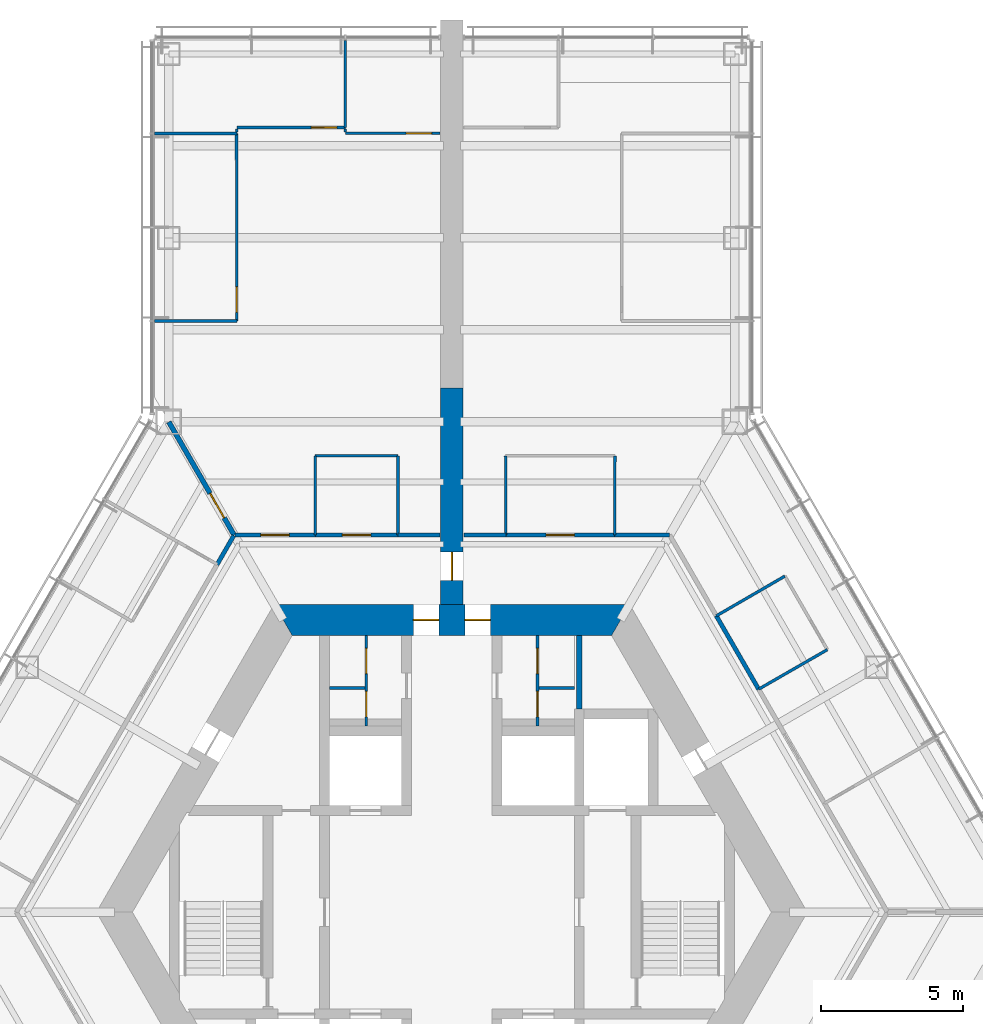
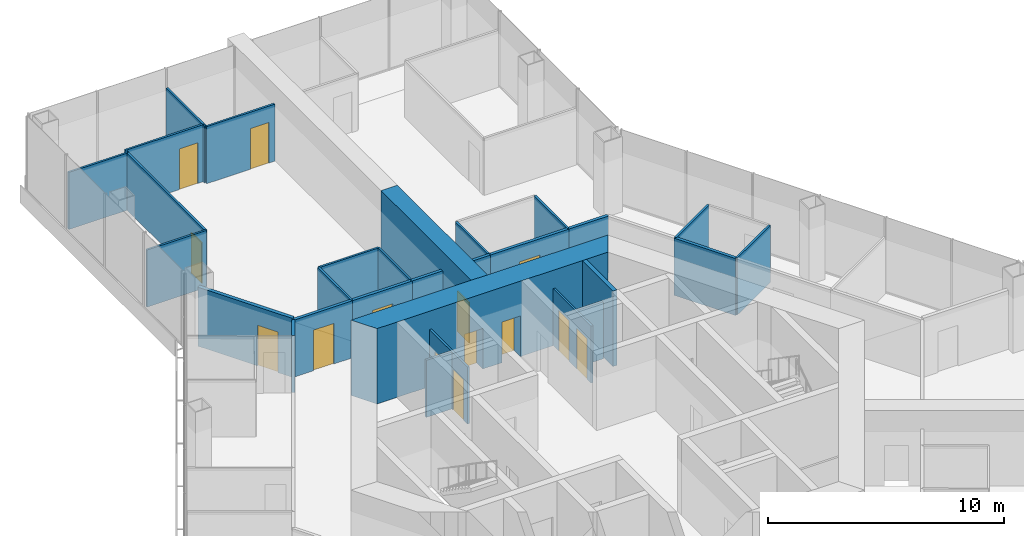
# One storey, part 15 of 19: 31 walls, 14 doors, 14 openings.
"""IFC4 building model written with IfcOpenShell, lengths in metres."""

from ifc_helpers import new_model, si_unit, direction, frame, frame_2d, origin, place, context, subcontext, project, spatial, polyline, rectangle, outline, extrude, material, layer, layer_set, type_object, element, fill, save


model = new_model("IFC4")

# Units and contexts
model_context = context("Model", 3, precision=1e-05, world=origin(), true_north=direction((0.0, 1.0)))
body_context = subcontext(model_context, "Body", "Model", "MODEL_VIEW")
ifc_project = project(units=[si_unit("LENGTHUNIT", "METRE"), si_unit("AREAUNIT", "SQUARE_METRE"), si_unit("VOLUMEUNIT", "CUBIC_METRE"), si_unit("PLANEANGLEUNIT", "RADIAN"), si_unit("MASSUNIT", "GRAM", prefix="KILO")], contexts=[model_context])

# Site, building, storey
site_placement = place(None, origin())
site = spatial("IfcSite", under=ifc_project, at=site_placement, CompositionType="ELEMENT")
building_placement = place(site_placement, origin())
building = spatial("IfcBuilding", under=site, at=building_placement, Name="Kasaneha Research Tower", CompositionType="ELEMENT")
storey_placement = place(building_placement, frame((0.0, 0.0, 92.39990234375)))
storey = spatial("IfcBuildingStorey", under=building, at=storey_placement, Name="L23", CompositionType="ELEMENT", Elevation=92.39990234375)

# Wall, openings, doors
ifc_material_1 = material(Name="Concrete Fc80", Category="concrete")
ifc_layer_1 = layer(ifc_material_1, 1.10009765625)
ifc_layer_set_1 = layer_set([ifc_layer_1], Name="Core wall 1100 Fc80")
wall_type_1 = type_object("IfcWallType", Name="Core wall 1100 Fc80", PredefinedType="SHEAR", material=ifc_layer_set_1)
wall_1_placement = place(storey_placement, frame((5.961181640625, 10.324951171875, 0.0), z_axis=(0.0, 0.0, 1.0), x_axis=(-1.0, 0.0, 0.0)))
wall_1 = element("IfcWall", 1, at=wall_1_placement, inside=storey, type_object=wall_type_1, Name="Core wall 090 L23", PredefinedType="SHEAR", context=body_context, shape_type="SweptSolid", body=[
    extrude(outline(polyline([(-0.317626953125, -0.550048828125), (4.5986328125, -0.550048828125), (5.49853515625, -0.550048828125), (6.423583984375, -0.550048828125), (7.323486328125, -0.550048828125), (12.239990234375, -0.550048828125), (11.604736328125, 0.550048828125), (7.323486328125, 0.550048828125), (6.423583984375, 0.550048828125), (5.49853515625, 0.550048828125), (4.5986328125, 0.550048828125), (0.317626953125, 0.550048828125), (-0.317626953125, -0.550048828125)])), origin(), (0.0, 0.0, 1.0), 3.900146484375),
])
opening_1_placement = place(wall_1_placement, frame((6.423583984375, 0.0, 0.0)))
opening_1 = element("IfcOpeningElement", 2, at=opening_1_placement, cuts=wall_1, Name="Opening L23-D01", PredefinedType="OPENING", context=body_context, shape_type="SweptSolid", body=[
    extrude(rectangle(XDim=0.89990234375, YDim=2.10009765625, at=frame_2d((0.449951171875, 1.050048828125))), frame((0.0, 0.56005859375, 0.0), z_axis=(0.0, -1.0, 0.0), x_axis=(1.0, 0.0, 0.0)), (0.0, 0.0, 1.0), 1.1201171875),
])
opening_2_placement = place(wall_1_placement, frame((4.5986328125, 0.0, 0.0)))
opening_2 = element("IfcOpeningElement", 3, at=opening_2_placement, cuts=wall_1, Name="Opening L23-D02", PredefinedType="OPENING", context=body_context, shape_type="SweptSolid", body=[
    extrude(rectangle(XDim=0.89990234375, YDim=2.10009765625, at=frame_2d((0.449951171875, 1.050048828125))), frame((0.0, 0.56005859375, 0.0), z_axis=(0.0, -1.0, 0.0), x_axis=(1.0, 0.0, 0.0)), (0.0, 0.0, 1.0), 1.1201171875),
])
ifc_material_2 = material(Name="Steel", Category="steel")
door_type_1 = type_object("IfcDoorType", Name="Toilet door FD20 900x2100", OperationType="NOTDEFINED", PredefinedType="DOOR", material=ifc_material_2)
door_1_placement = place(opening_1_placement, origin())
door_1 = element("IfcDoor", 4, at=door_1_placement, inside=storey, type_object=door_type_1, Name="Core door north 1 L23-D01", OperationType="SINGLE_SWING_RIGHT", OverallHeight=2.10009765625, OverallWidth=0.89990234375, PredefinedType="DOOR", context=body_context, shape_type="SweptSolid", body=[
    extrude(rectangle(XDim=0.89990234375, YDim=2.10009765625, at=frame_2d((0.449951171875, 1.050048828125))), frame((0.0, 0.02490234375, 0.0), z_axis=(0.0, -1.0, 0.0), x_axis=(1.0, 0.0, 0.0)), (0.0, 0.0, 1.0), 0.050048828125),
])
fill(opening_1, door_1)
door_2_placement = place(opening_2_placement, origin())
door_2 = element("IfcDoor", 5, at=door_2_placement, inside=storey, type_object=door_type_1, Name="Core door north 2 L23-D02", OperationType="SINGLE_SWING_LEFT", OverallHeight=2.10009765625, OverallWidth=0.89990234375, PredefinedType="DOOR", context=body_context, shape_type="SweptSolid", body=[
    extrude(rectangle(XDim=0.89990234375, YDim=2.10009765625, at=frame_2d((0.449951171875, 1.050048828125))), frame((0.0, 0.02490234375, 0.0), z_axis=(0.0, -1.0, 0.0), x_axis=(1.0, 0.0, 0.0)), (0.0, 0.0, 1.0), 0.050048828125),
])
fill(opening_2, door_2)

ifc_material_3 = material(Name="Gypsum board on steel studs, one layer each side", Category="steel")
ifc_layer_2 = layer(ifc_material_3, 0.10009765625)
ifc_layer_set_2 = layer_set([ifc_layer_2], Name="Office partition 100")
wall_type_2 = type_object("IfcWallType", Name="Office partition 100", PredefinedType="PARTITIONING", material=ifc_layer_set_2)
wall_2_placement = place(storey_placement, frame((-3.02490234375, 6.574951171875, 0.0), z_axis=(0.0, 0.0, 1.0), x_axis=(0.0, 1.0, 0.0)))
wall_2 = element("IfcWall", 6, at=wall_2_placement, inside=storey, type_object=wall_type_2, Name="Office partition TBM1 L23", PredefinedType="PARTITIONING", context=body_context, shape_type="SweptSolid", body=[
    extrude(rectangle(XDim=3.199951171875, YDim=0.10009765625, at=frame_2d((1.60009765625, 0.0))), origin(), (0.0, 0.0, 1.0), 2.9501953125),
])
opening_3_placement = place(wall_2_placement, frame((1.85009765625, 0.0, 0.0)))
opening_3 = element("IfcOpeningElement", 7, at=opening_3_placement, cuts=wall_2, Name="Opening L23-D20", PredefinedType="OPENING", context=body_context, shape_type="SweptSolid", body=[
    extrude(rectangle(XDim=0.89990234375, YDim=2.10009765625, at=frame_2d((0.449951171875, 1.050048828125))), frame((0.0, 0.06005859375, 0.0), z_axis=(0.0, -1.0, 0.0), x_axis=(1.0, 0.0, 0.0)), (0.0, 0.0, 1.0), 0.1201171875),
])
opening_4_placement = place(wall_2_placement, frame((0.324951171875, 0.0, 0.0)))
opening_4 = element("IfcOpeningElement", 8, at=opening_4_placement, cuts=wall_2, Name="Opening L23-D21", PredefinedType="OPENING", context=body_context, shape_type="SweptSolid", body=[
    extrude(rectangle(XDim=0.89990234375, YDim=2.10009765625, at=frame_2d((0.449951171875, 1.050048828125))), frame((0.0, 0.06005859375, 0.0), z_axis=(0.0, -1.0, 0.0), x_axis=(1.0, 0.0, 0.0)), (0.0, 0.0, 1.0), 0.1201171875),
])
ifc_material_4 = material(Name="Steel", Category="steel")
door_type_2 = type_object("IfcDoorType", Name="Toilet lobby door FD30 900x2100", OperationType="NOTDEFINED", PredefinedType="DOOR", material=ifc_material_4)
door_3_placement = place(opening_3_placement, origin())
door_3 = element("IfcDoor", 9, at=door_3_placement, inside=storey, type_object=door_type_2, Name="Men's WC door L23-D20", OperationType="SINGLE_SWING_RIGHT", OverallHeight=2.10009765625, OverallWidth=0.89990234375, PredefinedType="DOOR", context=body_context, shape_type="SweptSolid", body=[
    extrude(rectangle(XDim=0.89990234375, YDim=2.10009765625, at=frame_2d((0.449951171875, 1.050048828125))), frame((0.0, 0.02490234375, 0.0), z_axis=(0.0, -1.0, 0.0), x_axis=(1.0, 0.0, 0.0)), (0.0, 0.0, 1.0), 0.050048828125),
])
fill(opening_3, door_3)
door_4_placement = place(opening_4_placement, origin())
door_4 = element("IfcDoor", 10, at=door_4_placement, inside=storey, type_object=door_type_2, Name="Parents' room door L23-D21", OperationType="SINGLE_SWING_RIGHT", OverallHeight=2.10009765625, OverallWidth=0.89990234375, PredefinedType="DOOR", context=body_context, shape_type="SweptSolid", body=[
    extrude(rectangle(XDim=0.89990234375, YDim=2.10009765625, at=frame_2d((0.449951171875, 1.050048828125))), frame((0.0, 0.02490234375, 0.0), z_axis=(0.0, -1.0, 0.0), x_axis=(1.0, 0.0, 0.0)), (0.0, 0.0, 1.0), 0.050048828125),
])
fill(opening_4, door_4)

# Wall
wall_3_placement = place(storey_placement, frame((-3.074951171875, 7.925048828125, 0.0), z_axis=(0.0, 0.0, 1.0), x_axis=(-1.0, 0.0, 0.0)))
element("IfcWall", 11, at=wall_3_placement, inside=storey, type_object=wall_type_2, Name="Office partition TBM2 L23", PredefinedType="PARTITIONING", context=body_context, shape_type="SweptSolid", body=[
    extrude(rectangle(XDim=1.25, YDim=0.10009765625, at=frame_2d((0.625, 0.0))), origin(), (0.0, 0.0, 1.0), 2.9501953125),
])

# Wall, openings, doors
wall_4_placement = place(storey_placement, frame((3.02490234375, 6.574951171875, 0.0), z_axis=(0.0, 0.0, 1.0), x_axis=(0.0, 1.0, 0.0)))
wall_4 = element("IfcWall", 12, at=wall_4_placement, inside=storey, type_object=wall_type_2, Name="Office partition TBF1 L23", PredefinedType="PARTITIONING", context=body_context, shape_type="SweptSolid", body=[
    extrude(rectangle(XDim=3.199951171875, YDim=0.10009765625, at=frame_2d((1.60009765625, 0.0))), origin(), (0.0, 0.0, 1.0), 2.9501953125),
])
opening_5_placement = place(wall_4_placement, frame((1.85009765625, 0.0, 0.0)))
opening_5 = element("IfcOpeningElement", 13, at=opening_5_placement, cuts=wall_4, Name="Opening L23-D22", PredefinedType="OPENING", context=body_context, shape_type="SweptSolid", body=[
    extrude(rectangle(XDim=0.89990234375, YDim=2.10009765625, at=frame_2d((0.449951171875, 1.050048828125))), frame((0.0, 0.06005859375, 0.0), z_axis=(0.0, -1.0, 0.0), x_axis=(1.0, 0.0, 0.0)), (0.0, 0.0, 1.0), 0.1201171875),
])
opening_6_placement = place(wall_4_placement, frame((0.324951171875, 0.0, 0.0)))
opening_6 = element("IfcOpeningElement", 14, at=opening_6_placement, cuts=wall_4, Name="Opening L23-D23", PredefinedType="OPENING", context=body_context, shape_type="SweptSolid", body=[
    extrude(rectangle(XDim=0.89990234375, YDim=2.10009765625, at=frame_2d((0.449951171875, 1.050048828125))), frame((0.0, 0.06005859375, 0.0), z_axis=(0.0, -1.0, 0.0), x_axis=(1.0, 0.0, 0.0)), (0.0, 0.0, 1.0), 0.1201171875),
])
door_5_placement = place(opening_5_placement, origin())
door_5 = element("IfcDoor", 15, at=door_5_placement, inside=storey, type_object=door_type_2, Name="Women's WC door L23-D22", OperationType="SINGLE_SWING_RIGHT", OverallHeight=2.10009765625, OverallWidth=0.89990234375, PredefinedType="DOOR", context=body_context, shape_type="SweptSolid", body=[
    extrude(rectangle(XDim=0.89990234375, YDim=2.10009765625, at=frame_2d((0.449951171875, 1.050048828125))), frame((0.0, 0.02490234375, 0.0), z_axis=(0.0, -1.0, 0.0), x_axis=(1.0, 0.0, 0.0)), (0.0, 0.0, 1.0), 0.050048828125),
])
fill(opening_5, door_5)
door_6_placement = place(opening_6_placement, origin())
door_6 = element("IfcDoor", 16, at=door_6_placement, inside=storey, type_object=door_type_2, Name="Cleaner's store door L23-D23", OperationType="SINGLE_SWING_RIGHT", OverallHeight=2.10009765625, OverallWidth=0.89990234375, PredefinedType="DOOR", context=body_context, shape_type="SweptSolid", body=[
    extrude(rectangle(XDim=0.89990234375, YDim=2.10009765625, at=frame_2d((0.449951171875, 1.050048828125))), frame((0.0, 0.02490234375, 0.0), z_axis=(0.0, -1.0, 0.0), x_axis=(1.0, 0.0, 0.0)), (0.0, 0.0, 1.0), 0.050048828125),
])
fill(opening_6, door_6)

# Walls
wall_5_placement = place(storey_placement, frame((3.074951171875, 7.925048828125, 0.0), z_axis=(0.0, 0.0, 1.0), x_axis=(1.0, 0.0, 0.0)))
element("IfcWall", 17, at=wall_5_placement, inside=storey, type_object=wall_type_2, Name="Office partition TBF2 L23", PredefinedType="PARTITIONING", context=body_context, shape_type="SweptSolid", body=[
    extrude(rectangle(XDim=1.25, YDim=0.10009765625, at=frame_2d((0.625, 0.0))), origin(), (0.0, 0.0, 1.0), 2.9501953125),
])
for number, where, z_axis, x_axis, name in (
    (18, (1.904541015625, 13.324951171875, 0.0), (0.0, 0.0, 1.0), (-0.001656637364, 0.999998627775, 0.0), "Office partition FAE09 L23"),
    (19, (5.757080078125, 16.125, 0.0), (0.0, 0.0, 1.0), (-0.001656637364, -0.999998627775, 0.0), "Office partition FAE10 L23"),
    (20, (9.342041015625, 10.468994140625, 0.0), (0.0, 0.0, 1.0), (0.865195372903, 0.501434907746, 0.0), "Office partition FAE11 L23"),
):
    element("IfcWall", number, at=place(storey_placement, frame(where, z_axis=z_axis, x_axis=x_axis)), inside=storey, type_object=wall_type_2, Name=name, PredefinedType="PARTITIONING", context=body_context, shape_type="SweptSolid", body=[
        extrude(rectangle(XDim=2.800048828125, YDim=0.10009765625, at=frame_2d((1.39990234375, 0.0))), origin(), (0.0, 0.0, 1.0), 2.9501953125),
    ])
wall_6_placement = place(storey_placement, frame((13.2646484375, 9.27490234375, 0.0), z_axis=(0.0, 0.0, 1.0), x_axis=(-0.866833758708, -0.498597267105, 0.0)))
element("IfcWall", 21, at=wall_6_placement, inside=storey, type_object=wall_type_2, Name="Office partition FAE13 L23", PredefinedType="PARTITIONING", context=body_context, shape_type="SweptSolid", body=[
    extrude(rectangle(XDim=2.7998046875, YDim=0.10009765625, at=frame_2d((1.39990234375, 0.0))), origin(), (0.0, 0.0, 1.0), 2.9501953125),
])
wall_7_placement = place(storey_placement, frame((-4.8291015625, 16.125, 0.0), z_axis=(0.0, 0.0, 1.0), x_axis=(1.0, 0.0, 0.0)))
element("IfcWall", 22, at=wall_7_placement, inside=storey, type_object=wall_type_2, Name="Office partition FAW04 L23", PredefinedType="PARTITIONING", context=body_context, shape_type="SweptSolid", body=[
    extrude(rectangle(XDim=2.92919921875, YDim=0.10009765625, at=frame_2d((1.464599609375, 0.0))), origin(), (0.0, 0.0, 1.0), 2.9501953125),
])
for number, where, z_axis, x_axis, name in (
    (23, (-4.824462890625, 13.324951171875, 0.0), (0.0, 0.0, 1.0), (-0.001656637364, 0.999998627775, 0.0), "Office partition FAW05 L23"),
    (24, (-1.89990234375, 16.125, 0.0), (0.0, 0.0, 1.0), (-0.001656637364, -0.999998627775, 0.0), "Office partition FAW06 L23"),
):
    element("IfcWall", number, at=place(storey_placement, frame(where, z_axis=z_axis, x_axis=x_axis)), inside=storey, type_object=wall_type_2, Name=name, PredefinedType="PARTITIONING", context=body_context, shape_type="SweptSolid", body=[
        extrude(rectangle(XDim=2.800048828125, YDim=0.10009765625, at=frame_2d((1.39990234375, 0.0))), origin(), (0.0, 0.0, 1.0), 2.9501953125),
    ])
wall_8_placement = place(storey_placement, frame((-10.5, 27.5107421875, 0.0), z_axis=(0.0, 0.0, 1.0), x_axis=(0.999998125274, -0.001936349291, 0.0)))
element("IfcWall", 25, at=wall_8_placement, inside=storey, type_object=wall_type_2, Name="Office partition FAW07 L23", PredefinedType="PARTITIONING", context=body_context, shape_type="SweptSolid", body=[
    extrude(rectangle(XDim=2.89990234375, YDim=0.10009765625, at=frame_2d((1.449951171875, 0.0))), origin(), (0.0, 0.0, 1.0), 2.9501953125),
])

# Wall, opening, door
wall_9_placement = place(storey_placement, frame((-7.60400390625, 27.5107421875, 0.0), z_axis=(0.0, 0.0, 1.0), x_axis=(0.000590100952, -0.99999982589, 0.0)))
wall_9 = element("IfcWall", 26, at=wall_9_placement, inside=storey, type_object=wall_type_2, Name="Office partition FAW08 L23", PredefinedType="PARTITIONING", context=body_context, shape_type="SweptSolid", body=[
    extrude(rectangle(XDim=6.61962890625, YDim=0.10009765625, at=frame_2d((3.309814453125, 0.0))), origin(), (0.0, 0.0, 1.0), 2.9501953125),
])
opening_7_placement = place(wall_9_placement, frame((5.419677734375, 0.0, 0.0)))
opening_7 = element("IfcOpeningElement", 27, at=opening_7_placement, cuts=wall_9, Name="Opening L23-D36", PredefinedType="OPENING", context=body_context, shape_type="SweptSolid", body=[
    extrude(rectangle(XDim=0.89990234375, YDim=2.10009765625, at=frame_2d((0.449951171875, 1.050048828125))), frame((0.0, 0.06005859375, 0.0), z_axis=(0.0, -1.0, 0.0), x_axis=(1.0, 0.0, 0.0)), (0.0, 0.0, 1.0), 0.1201171875),
])
ifc_material_5 = material(Name="Timber veneer", Category="wood")
door_type_3 = type_object("IfcDoorType", Name="Office door 900x2100", OperationType="SINGLE_SWING_LEFT", PredefinedType="DOOR", material=ifc_material_5)
door_7_placement = place(opening_7_placement, origin())
door_7 = element("IfcDoor", 28, at=door_7_placement, inside=storey, type_object=door_type_3, Name="Manager's office door L23-D36", OperationType="SINGLE_SWING_RIGHT", OverallHeight=2.10009765625, OverallWidth=0.89990234375, PredefinedType="DOOR", context=body_context, shape_type="SweptSolid", body=[
    extrude(rectangle(XDim=0.89990234375, YDim=2.10009765625, at=frame_2d((0.449951171875, 1.050048828125))), frame((0.0, 0.02490234375, 0.0), z_axis=(0.0, -1.0, 0.0), x_axis=(1.0, 0.0, 0.0)), (0.0, 0.0, 1.0), 0.050048828125),
])
fill(opening_7, door_7)

# Walls
wall_10_placement = place(storey_placement, frame((-7.60009765625, 20.89111328125, 0.0), z_axis=(0.0, 0.0, 1.0), x_axis=(-1.0, 0.0, 0.0)))
element("IfcWall", 29, at=wall_10_placement, inside=storey, type_object=wall_type_2, Name="Office partition FAW09 L23", PredefinedType="PARTITIONING", context=body_context, shape_type="SweptSolid", body=[
    extrude(rectangle(XDim=2.89990234375, YDim=0.10009765625, at=frame_2d((1.449951171875, 0.0))), origin(), (0.0, 0.0, 1.0), 2.9501953125),
])
wall_11_placement = place(storey_placement, frame((-3.7666015625, 27.715576171875, 0.0), z_axis=(0.0, 0.0, 1.0), x_axis=(0.0, 1.0, 0.0)))
element("IfcWall", 30, at=wall_11_placement, inside=storey, type_object=wall_type_2, Name="Office partition FAW10 L23", PredefinedType="PARTITIONING", context=body_context, shape_type="SweptSolid", body=[
    extrude(rectangle(XDim=3.0849609375, YDim=0.10009765625, at=frame_2d((1.54248046875, 0.0))), origin(), (0.0, 0.0, 1.0), 2.9501953125),
])

# Wall, opening, door
wall_12_placement = place(storey_placement, frame((-0.419921875, 27.5205078125, 0.0), z_axis=(0.0, 0.0, 1.0), x_axis=(-1.0, 0.0, 0.0)))
wall_12 = element("IfcWall", 31, at=wall_12_placement, inside=storey, type_object=wall_type_2, Name="Office partition FAW11 L23", PredefinedType="PARTITIONING", context=body_context, shape_type="SweptSolid", body=[
    extrude(rectangle(XDim=3.3466796875, YDim=0.10009765625, at=frame_2d((1.67333984375, 0.0))), origin(), (0.0, 0.0, 1.0), 2.9501953125),
])
opening_8_placement = place(wall_12_placement, frame((0.300048828125, 0.0, 0.0)))
opening_8 = element("IfcOpeningElement", 32, at=opening_8_placement, cuts=wall_12, Name="Opening L23-D37", PredefinedType="OPENING", context=body_context, shape_type="SweptSolid", body=[
    extrude(rectangle(XDim=0.89990234375, YDim=2.10009765625, at=frame_2d((0.449951171875, 1.050048828125))), frame((0.0, 0.06005859375, 0.0), z_axis=(0.0, -1.0, 0.0), x_axis=(1.0, 0.0, 0.0)), (0.0, 0.0, 1.0), 0.1201171875),
])
door_8_placement = place(opening_8_placement, origin())
door_8 = element("IfcDoor", 33, at=door_8_placement, inside=storey, type_object=door_type_3, Name="Manager's office door L23-D37", OperationType="SINGLE_SWING_LEFT", OverallHeight=2.10009765625, OverallWidth=0.89990234375, PredefinedType="DOOR", context=body_context, shape_type="SweptSolid", body=[
    extrude(rectangle(XDim=0.89990234375, YDim=2.10009765625, at=frame_2d((0.449951171875, 1.050048828125))), frame((0.0, 0.02490234375, 0.0), z_axis=(0.0, -1.0, 0.0), x_axis=(1.0, 0.0, 0.0)), (0.0, 0.0, 1.0), 0.050048828125),
])
fill(opening_8, door_8)

wall_13_placement = place(storey_placement, frame((-3.7666015625, 27.72509765625, 0.0), z_axis=(0.0, 0.0, 1.0), x_axis=(-0.999998926662, -0.001465153224, 0.0)))
wall_13 = element("IfcWall", 34, at=wall_13_placement, inside=storey, type_object=wall_type_2, Name="Office partition FAW12 L23", PredefinedType="PARTITIONING", context=body_context, shape_type="SweptSolid", body=[
    extrude(rectangle(XDim=3.83251953125, YDim=0.10009765625, at=frame_2d((1.916259765625, 0.0))), origin(), (0.0, 0.0, 1.0), 2.9501953125),
])
opening_9_placement = place(wall_13_placement, frame((0.300048828125, 0.0, 0.0)))
opening_9 = element("IfcOpeningElement", 35, at=opening_9_placement, cuts=wall_13, Name="Opening L23-D38", PredefinedType="OPENING", context=body_context, shape_type="SweptSolid", body=[
    extrude(rectangle(XDim=0.89990234375, YDim=2.10009765625, at=frame_2d((0.449951171875, 1.050048828125))), frame((0.0, 0.06005859375, 0.0), z_axis=(0.0, -1.0, 0.0), x_axis=(1.0, 0.0, 0.0)), (0.0, 0.0, 1.0), 0.1201171875),
])
door_9_placement = place(opening_9_placement, origin())
door_9 = element("IfcDoor", 36, at=door_9_placement, inside=storey, type_object=door_type_3, Name="Workroom door L23-D38", OperationType="SINGLE_SWING_LEFT", OverallHeight=2.10009765625, OverallWidth=0.89990234375, PredefinedType="DOOR", context=body_context, shape_type="SweptSolid", body=[
    extrude(rectangle(XDim=0.89990234375, YDim=2.10009765625, at=frame_2d((0.449951171875, 1.050048828125))), frame((0.0, 0.02490234375, 0.0), z_axis=(0.0, -1.0, 0.0), x_axis=(1.0, 0.0, 0.0)), (0.0, 0.0, 1.0), 0.050048828125),
])
fill(opening_9, door_9)

# Walls
wall_14_placement = place(storey_placement, frame((-3.766845703125, 27.570556640625, 0.0), z_axis=(0.0, 0.0, 1.0), x_axis=(0.0, 1.0, 0.0)))
element("IfcWall", 37, at=wall_14_placement, inside=storey, type_object=wall_type_2, Name="Office partition closer PT5 L23", PredefinedType="PARTITIONING", context=body_context, shape_type="SweptSolid", body=[
    extrude(rectangle(XDim=0.1044921875, YDim=0.10009765625, at=frame_2d((0.05224609375, 0.0))), origin(), (0.0, 0.0, 1.0), 2.9501953125),
])
wall_15_placement = place(storey_placement, frame((-7.599365234375, 27.66943359375, 0.0), z_axis=(0.0, 0.0, 1.0), x_axis=(-0.004273465251, -0.999990868706, 0.0)))
element("IfcWall", 38, at=wall_15_placement, inside=storey, type_object=wall_type_2, Name="Office partition closer PT5 L23", PredefinedType="PARTITIONING", context=body_context, shape_type="SweptSolid", body=[
    extrude(rectangle(XDim=0.1142578125, YDim=0.10009765625, at=frame_2d((0.05712890625, 0.0))), origin(), (0.0, 0.0, 1.0), 2.9501953125),
])
ifc_material_6 = material(Name="Concrete block", Category="concrete")
ifc_layer_3 = layer(ifc_material_6, 0.199951171875)
ifc_layer_set_3 = layer_set([ifc_layer_3], Name="Riser enclosure wall 200")
wall_type_3 = type_object("IfcWallType", Name="Riser enclosure wall 200", PredefinedType="STANDARD", material=ifc_layer_set_3)
wall_16_placement = place(storey_placement, frame((4.5, 7.175048828125, 0.0), z_axis=(0.0, 0.0, 1.0), x_axis=(0.0, 1.0, 0.0)))
element("IfcWall", 39, at=wall_16_placement, inside=storey, type_object=wall_type_3, Name="Riser enclosure wall L23", PredefinedType="STANDARD", context=body_context, shape_type="SweptSolid", body=[
    extrude(rectangle(XDim=2.599853515625, YDim=0.199951171875, at=frame_2d((1.2998046875, 0.0))), origin(), (0.0, 0.0, 1.0), 3.900146484375),
])

# Wall, opening, door
ifc_material_7 = material(Name="Concrete Fc80", Category="concrete")
ifc_layer_4 = layer(ifc_material_7, 0.800048828125)
ifc_layer_set_4 = layer_set([ifc_layer_4], Name="Spine wall 800 Fc80")
wall_type_4 = type_object("IfcWallType", Name="Spine wall 800 Fc80", PredefinedType="SHEAR", material=ifc_layer_set_4)
wall_17_placement = place(storey_placement, frame((0.0, 10.875, 0.0), z_axis=(0.0, 0.0, 1.0), x_axis=(0.0, 1.0, 0.0)))
wall_17 = element("IfcWall", 40, at=wall_17_placement, inside=storey, type_object=wall_type_4, Name="Spine wall A L23", PredefinedType="SHEAR", context=body_context, shape_type="SweptSolid", body=[
    extrude(rectangle(XDim=7.6455078125, YDim=0.800048828125, at=frame_2d((3.82275390625, 0.0))), origin(), (0.0, 0.0, 1.0), 3.900146484375),
])
opening_10_placement = place(wall_17_placement, frame((0.85009765625, 0.0, 0.0)))
opening_10 = element("IfcOpeningElement", 41, at=opening_10_placement, cuts=wall_17, Name="Opening L23-D17", PredefinedType="OPENING", context=body_context, shape_type="SweptSolid", body=[
    extrude(rectangle(XDim=1.0, YDim=2.10009765625, at=frame_2d((0.5, 1.050048828125))), frame((0.0, 0.41015625, 0.0), z_axis=(0.0, -1.0, 0.0), x_axis=(1.0, 0.0, 0.0)), (0.0, 0.0, 1.0), 0.820068359375),
])
ifc_material_8 = material(Name="Steel", Category="steel")
door_type_4 = type_object("IfcDoorType", Name="Specified fire door FD60 1000x2100", OperationType="NOTDEFINED", PredefinedType="DOOR", material=ifc_material_8)
door_10_placement = place(opening_10_placement, origin())
door_10 = element("IfcDoor", 42, at=door_10_placement, inside=storey, type_object=door_type_4, Name="Spine doorway A L23-D17", OperationType="SINGLE_SWING_LEFT", OverallHeight=2.10009765625, OverallWidth=1.0, PredefinedType="DOOR", context=body_context, shape_type="SweptSolid", body=[
    extrude(rectangle(XDim=1.0, YDim=2.10009765625, at=frame_2d((0.5, 1.050048828125))), frame((0.0, 0.02490234375, 0.0), z_axis=(0.0, -1.0, 0.0), x_axis=(1.0, 0.0, 0.0)), (0.0, 0.0, 1.0), 0.050048828125),
])
fill(opening_10, door_10)

ifc_material_9 = material(Name="Gypsum board on steel studs, two layers each side", Category="steel")
ifc_layer_5 = layer(ifc_material_9, 0.14990234375)
ifc_layer_set_5 = layer_set([ifc_layer_5], Name="Suite partition 150")
wall_type_5 = type_object("IfcWallType", Name="Suite partition 150", PredefinedType="PARTITIONING", material=ifc_layer_set_5)
wall_18_placement = place(storey_placement, frame((1.89501953125, 13.324951171875, 0.0), z_axis=(0.0, 0.0, 1.0), x_axis=(1.0, 0.0, 0.0)))
wall_18 = element("IfcWall", 43, at=wall_18_placement, inside=storey, type_object=wall_type_5, Name="Suite partition FAE01 L23", PredefinedType="PARTITIONING", context=body_context, shape_type="SweptSolid", body=[
    extrude(rectangle(XDim=3.866943359375, YDim=0.14990234375, at=frame_2d((1.93359375, 0.0))), origin(), (0.0, 0.0, 1.0), 2.9501953125),
])
opening_11_placement = place(wall_18_placement, frame((1.43359375, 0.0, 0.0)))
opening_11 = element("IfcOpeningElement", 44, at=opening_11_placement, cuts=wall_18, Name="Opening L23-D28", PredefinedType="OPENING", context=body_context, shape_type="SweptSolid", body=[
    extrude(rectangle(XDim=1.0, YDim=2.10009765625, at=frame_2d((0.5, 1.050048828125))), frame((0.0, 0.0849609375, 0.0), z_axis=(0.0, -1.0, 0.0), x_axis=(1.0, 0.0, 0.0)), (0.0, 0.0, 1.0), 0.169921875),
])
ifc_material_10 = material(Name="Steel", Category="steel")
door_type_5 = type_object("IfcDoorType", Name="Suite entrance door FD60 1000x2100", OperationType="NOTDEFINED", PredefinedType="DOOR", material=ifc_material_10)
door_11_placement = place(opening_11_placement, origin())
door_11 = element("IfcDoor", 45, at=door_11_placement, inside=storey, type_object=door_type_5, Name="Suite entrance door L23-D28", OperationType="SINGLE_SWING_LEFT", OverallHeight=2.10009765625, OverallWidth=1.0, PredefinedType="DOOR", context=body_context, shape_type="SweptSolid", body=[
    extrude(rectangle(XDim=1.0, YDim=2.10009765625, at=frame_2d((0.5, 1.050048828125))), frame((0.0, 0.02490234375, 0.0), z_axis=(0.0, -1.0, 0.0), x_axis=(1.0, 0.0, 0.0)), (0.0, 0.0, 1.0), 0.050048828125),
])
fill(opening_11, door_11)

# Walls
wall_19_placement = place(storey_placement, frame((9.33740234375, 10.477294921875, 0.0), z_axis=(0.0, 0.0, 1.0), x_axis=(0.499977562641, -0.866038357612, 0.0)))
element("IfcWall", 46, at=wall_19_placement, inside=storey, type_object=wall_type_5, Name="Suite partition FAE02 L23", PredefinedType="PARTITIONING", context=body_context, shape_type="SweptSolid", body=[
    extrude(rectangle(XDim=3.010009765625, YDim=0.14990234375, at=frame_2d((1.5048828125, 0.0))), origin(), (0.0, 0.0, 1.0), 2.9501953125),
])
wall_20_placement = place(storey_placement, frame((0.419921875, 13.324951171875, 0.0), z_axis=(0.0, 0.0, 1.0), x_axis=(1.0, 0.0, 0.0)))
element("IfcWall", 47, at=wall_20_placement, inside=storey, type_object=wall_type_5, Name="Suite partition FAE04 L23", PredefinedType="PARTITIONING", context=body_context, shape_type="SweptSolid", body=[
    extrude(rectangle(XDim=1.484619140625, YDim=0.14990234375, at=frame_2d((0.7421875, 0.0))), origin(), (0.0, 0.0, 1.0), 2.9501953125),
])
wall_21_placement = place(storey_placement, frame((5.75244140625, 13.324951171875, 0.0), z_axis=(0.0, 0.0, 1.0), x_axis=(1.0, 0.0, 0.0)))
element("IfcWall", 48, at=wall_21_placement, inside=storey, type_object=wall_type_5, Name="Suite partition FAE05 L23", PredefinedType="PARTITIONING", context=body_context, shape_type="SweptSolid", body=[
    extrude(rectangle(XDim=1.940673828125, YDim=0.14990234375, at=frame_2d((0.97021484375, 0.0))), origin(), (0.0, 0.0, 1.0), 2.9501953125),
])

# Wall, opening, door
wall_22_placement = place(storey_placement, frame((-4.833984375, 13.324951171875, 0.0), z_axis=(0.0, 0.0, 1.0), x_axis=(1.0, 0.0, 0.0)))
wall_22 = element("IfcWall", 49, at=wall_22_placement, inside=storey, type_object=wall_type_5, Name="Suite partition FAW01 L23", PredefinedType="PARTITIONING", context=body_context, shape_type="SweptSolid", body=[
    extrude(rectangle(XDim=2.93896484375, YDim=0.14990234375, at=frame_2d((1.469482421875, 0.0))), origin(), (0.0, 0.0, 1.0), 2.9501953125),
])
opening_12_placement = place(wall_22_placement, frame((0.969482421875, 0.0, 0.0)))
opening_12 = element("IfcOpeningElement", 50, at=opening_12_placement, cuts=wall_22, Name="Opening L23-D34", PredefinedType="OPENING", context=body_context, shape_type="SweptSolid", body=[
    extrude(rectangle(XDim=1.0, YDim=2.10009765625, at=frame_2d((0.5, 1.050048828125))), frame((0.0, 0.0849609375, 0.0), z_axis=(0.0, -1.0, 0.0), x_axis=(1.0, 0.0, 0.0)), (0.0, 0.0, 1.0), 0.169921875),
])
door_12_placement = place(opening_12_placement, origin())
door_12 = element("IfcDoor", 51, at=door_12_placement, inside=storey, type_object=door_type_5, Name="Suite entrance door L23-D34", OperationType="SINGLE_SWING_RIGHT", OverallHeight=2.10009765625, OverallWidth=1.0, PredefinedType="DOOR", context=body_context, shape_type="SweptSolid", body=[
    extrude(rectangle(XDim=1.0, YDim=2.10009765625, at=frame_2d((0.5, 1.050048828125))), frame((0.0, 0.02490234375, 0.0), z_axis=(0.0, -1.0, 0.0), x_axis=(1.0, 0.0, 0.0)), (0.0, 0.0, 1.0), 0.050048828125),
])
fill(opening_12, door_12)

wall_23_placement = place(storey_placement, frame((-7.670166015625, 13.324951171875, 0.0), z_axis=(0.0, 0.0, 1.0), x_axis=(1.0, 0.0, 0.0)))
wall_23 = element("IfcWall", 52, at=wall_23_placement, inside=storey, type_object=wall_type_5, Name="Suite partition FAW02 L23", PredefinedType="PARTITIONING", context=body_context, shape_type="SweptSolid", body=[
    extrude(rectangle(XDim=2.845703125, YDim=0.14990234375, at=frame_2d((1.4228515625, 0.0))), origin(), (0.0, 0.0, 1.0), 2.9501953125),
])
opening_13_placement = place(wall_23_placement, frame((0.9228515625, 0.0, 0.0)))
opening_13 = element("IfcOpeningElement", 53, at=opening_13_placement, cuts=wall_23, Name="Opening L23-D35", PredefinedType="OPENING", context=body_context, shape_type="SweptSolid", body=[
    extrude(rectangle(XDim=1.0, YDim=2.10009765625, at=frame_2d((0.5, 1.050048828125))), frame((0.0, 0.0849609375, 0.0), z_axis=(0.0, -1.0, 0.0), x_axis=(1.0, 0.0, 0.0)), (0.0, 0.0, 1.0), 0.169921875),
])
door_13_placement = place(opening_13_placement, origin())
door_13 = element("IfcDoor", 54, at=door_13_placement, inside=storey, type_object=door_type_5, Name="Suite entrance door L23-D35", OperationType="SINGLE_SWING_LEFT", OverallHeight=2.10009765625, OverallWidth=1.0, PredefinedType="DOOR", context=body_context, shape_type="SweptSolid", body=[
    extrude(rectangle(XDim=1.0, YDim=2.10009765625, at=frame_2d((0.5, 1.050048828125))), frame((0.0, 0.02490234375, 0.0), z_axis=(0.0, -1.0, 0.0), x_axis=(1.0, 0.0, 0.0)), (0.0, 0.0, 1.0), 0.050048828125),
])
fill(opening_13, door_13)

# Walls
wall_24_placement = place(storey_placement, frame((-1.904541015625, 13.324951171875, 0.0), z_axis=(0.0, 0.0, 1.0), x_axis=(1.0, 0.0, 0.0)))
element("IfcWall", 55, at=wall_24_placement, inside=storey, type_object=wall_type_5, Name="Suite partition FAW03 L23", PredefinedType="PARTITIONING", context=body_context, shape_type="SweptSolid", body=[
    extrude(rectangle(XDim=1.484619140625, YDim=0.14990234375, at=frame_2d((0.7421875, 0.0))), origin(), (0.0, 0.0, 1.0), 2.9501953125),
])
wall_25_placement = place(storey_placement, frame((-8.2958984375, 12.281005859375, 0.0), z_axis=(0.0, 0.0, 1.0), x_axis=(0.500091824179, 0.865972382579, 0.0)))
element("IfcWall", 56, at=wall_25_placement, inside=storey, type_object=wall_type_5, Name="Suite partition FBN02 L23", PredefinedType="PARTITIONING", context=body_context, shape_type="SweptSolid", body=[
    extrude(rectangle(XDim=1.182373046875, YDim=0.14990234375, at=frame_2d((0.59130859375, 0.0))), origin(), (0.0, 0.0, 1.0), 2.9501953125),
])

# Wall, opening, door
ifc_material_11 = material(Name="Gypsum board on steel studs, two layers each side", Category="steel")
ifc_layer_6 = layer(ifc_material_11, 0.175048828125)
ifc_layer_set_6 = layer_set([ifc_layer_6], Name="Tenancy fire partition 175")
wall_type_6 = type_object("IfcWallType", Name="Tenancy fire partition 175", PredefinedType="PARTITIONING", material=ifc_layer_set_6)
wall_26_placement = place(storey_placement, frame((-7.693115234375, 13.324951171875, 0.0), z_axis=(0.0, 0.0, 1.0), x_axis=(-0.500003393015, 0.866023444818, 0.0)))
wall_26 = element("IfcWall", 57, at=wall_26_placement, inside=storey, type_object=wall_type_6, Name="Tenancy fire partition T120 L23", PredefinedType="PARTITIONING", context=body_context, shape_type="SweptSolid", body=[
    extrude(rectangle(XDim=4.61376953125, YDim=0.175048828125, at=frame_2d((2.306884765625, 0.0))), origin(), (0.0, 0.0, 1.0), 3.050048828125),
])
opening_14_placement = place(wall_26_placement, frame((0.699951171875, 0.0, 0.0)))
opening_14 = element("IfcOpeningElement", 58, at=opening_14_placement, cuts=wall_26, Name="Opening L23-D26", PredefinedType="OPENING", context=body_context, shape_type="SweptSolid", body=[
    extrude(rectangle(XDim=1.0, YDim=2.10009765625, at=frame_2d((0.5, 1.050048828125))), frame((0.0, 0.09765625, 0.0), z_axis=(0.0, -1.0, 0.0), x_axis=(1.0, 0.0, 0.0)), (0.0, 0.0, 1.0), 0.195068359375),
])
door_14_placement = place(opening_14_placement, origin())
door_14 = element("IfcDoor", 59, at=door_14_placement, inside=storey, type_object=door_type_5, Name="Connecting door L23-D26", OperationType="SINGLE_SWING_LEFT", OverallHeight=2.10009765625, OverallWidth=1.0, PredefinedType="DOOR", context=body_context, shape_type="SweptSolid", body=[
    extrude(rectangle(XDim=1.0, YDim=2.10009765625, at=frame_2d((0.5, 1.050048828125))), frame((0.0, 0.02490234375, 0.0), z_axis=(0.0, -1.0, 0.0), x_axis=(1.0, 0.0, 0.0)), (0.0, 0.0, 1.0), 0.050048828125),
])
fill(opening_14, door_14)

save(model, "model.ifc")
